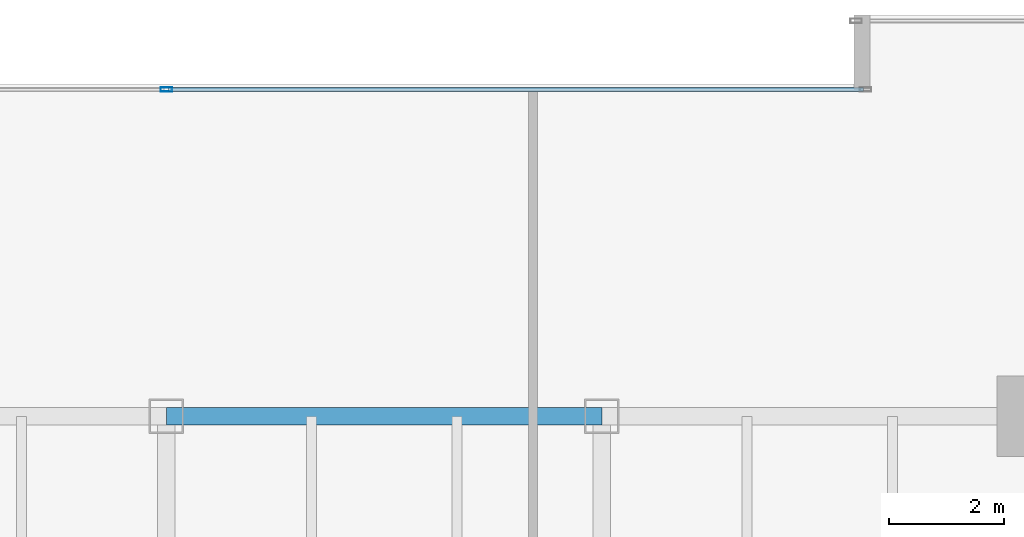
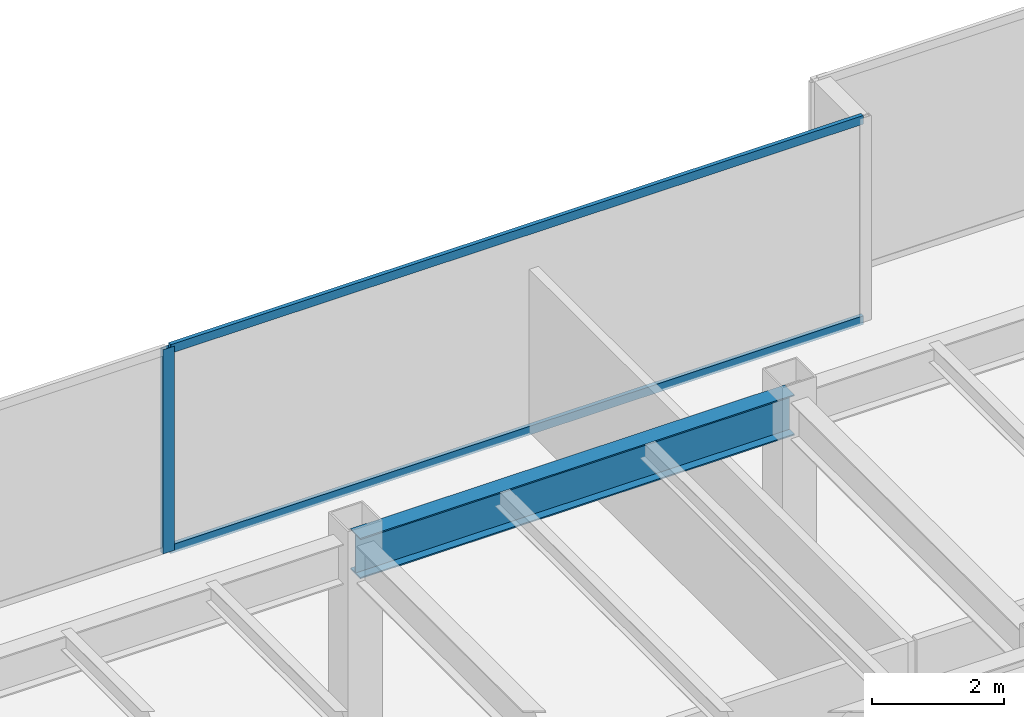
# One storey, part 18 of 35: 3 members, 1 beam, 1 element without a shape of its own.
"""IFC4 building model written with IfcOpenShell, lengths in metres."""

import ifcopenshell
import ifcopenshell.guid

model = None  # the IFC model being written
_history = None  # IfcOwnerHistory: only IFC2X3 demands one
_inside = {}  # id of a spatial element -> (the spatial element, [elements in it])
_under = {}  # id of a project, library or spatial element -> (it, [spatial elements below it])
_declared = {}  # id of a project -> (the project, [libraries it declares])
_typed = {}  # id of a type object -> (the type object, [elements of that type])
_made_of = {}  # id of a material, layer set ... -> (it, [elements and type objects made of it])


def new_model(schema):
    """Start an empty IFC model of exactly this schema.

    Asked for "IFC4X3", IfcOpenShell would pick the latest addendum, in which some entities
    have other attributes; the version numbers below select the first issue.
    IFC2X3 requires an IfcOwnerHistory on every rooted entity: one is made here for all.
    """
    global model, _history
    if schema == "IFC4X3":
        model = ifcopenshell.file(schema_version=(4, 3, 0, 0))
    else:
        model = ifcopenshell.file(schema=schema)
    _inside.clear()
    _under.clear()
    _declared.clear()
    _typed.clear()
    _made_of.clear()
    _history = None
    if model.schema == "IFC2X3":
        org = make("IfcOrganization", Name="unknown")
        user = make(
            "IfcPersonAndOrganization",
            ThePerson=make("IfcPerson", FamilyName="unknown"),
            TheOrganization=org,
        )
        app = make(
            "IfcApplication",
            ApplicationDeveloper=org,
            Version="unknown",
            ApplicationFullName="unknown",
            ApplicationIdentifier="unknown",
        )
        _history = make(
            "IfcOwnerHistory",
            OwningUser=user,
            OwningApplication=app,
            ChangeAction="ADDED",
            CreationDate=0,
        )
    return model


def make(cls, **values):
    """One entity of the class cls with the attributes given. An attribute that is None is left unset."""
    return model.create_entity(
        cls, **{name: value for name, value in values.items() if value is not None}
    )


def rooted(cls, **values):
    """An entity with a GlobalId (a new one), such as an element, a storey or a relation."""
    return make(cls, GlobalId=ifcopenshell.guid.new(), OwnerHistory=_history, **values)


def si_unit(unit_type, name, prefix=None):
    """IfcSIUnit, for example si_unit("LENGTHUNIT", "METRE", prefix="MILLI")."""
    return make("IfcSIUnit", UnitType=unit_type, Prefix=prefix, Name=name)


def assignment(units):
    """IfcUnitAssignment: the units of a project."""
    return None if units is None else make("IfcUnitAssignment", Units=units)


def point(xyz):
    """IfcCartesianPoint."""
    return None if xyz is None else make("IfcCartesianPoint", Coordinates=xyz)


def direction(xyz):
    """IfcDirection."""
    return None if xyz is None else make("IfcDirection", DirectionRatios=xyz)


def frame(location, z_axis=None, x_axis=None):
    """IfcAxis2Placement3D, a coordinate frame: its origin and axes. An axis left out is left unset."""
    return make(
        "IfcAxis2Placement3D",
        Location=point(location),
        Axis=direction(z_axis),
        RefDirection=direction(x_axis),
    )


def frame_2d(location, x_axis=None):
    """IfcAxis2Placement2D, a coordinate frame in the plane: its origin and x axis."""
    return make(
        "IfcAxis2Placement2D", Location=point(location), RefDirection=direction(x_axis)
    )


def origin():
    """The frame at (0, 0, 0) with its axes left unset."""
    return frame((0.0, 0.0, 0.0))


def origin_2d():
    """The frame at (0, 0) in the plane with its x axis left unset."""
    return frame_2d((0.0, 0.0))


def place(relative_to, where):
    """IfcLocalPlacement: puts the frame where relative to a parent placement (None: the world)."""
    return make(
        "IfcLocalPlacement", PlacementRelTo=relative_to, RelativePlacement=where
    )


def context(
    kind, dimensions, precision=None, world=None, true_north=None, identifier=None
):
    """IfcGeometricRepresentationContext, for example the 3D "Model" context."""
    return make(
        "IfcGeometricRepresentationContext",
        ContextIdentifier=identifier,
        ContextType=kind,
        CoordinateSpaceDimension=dimensions,
        Precision=precision,
        WorldCoordinateSystem=world,
        TrueNorth=true_north,
    )


def subcontext(parent, identifier, kind, view, scale=None):
    """IfcGeometricRepresentationSubContext, for example "Body" below "Model"."""
    return make(
        "IfcGeometricRepresentationSubContext",
        ContextIdentifier=identifier,
        ContextType=kind,
        ParentContext=parent,
        TargetScale=scale,
        TargetView=view,
    )


def project(units=None, contexts=None):
    """IfcProject with its units and contexts."""
    return rooted(
        "IfcProject",
        Name="project",
        RepresentationContexts=contexts,
        UnitsInContext=assignment(units),
    )


def spatial(cls, under=None, at=None, **own):
    """A site, building, storey or space (cls), placed at a placement, below another one or the project."""
    s = rooted(cls, ObjectPlacement=at, **own)
    if under is not None:
        _under.setdefault(under.id(), (under, []))[1].append(s)
    return s


def profile(cls, at=None, kind="AREA", **sizes):
    """A parametric profile (cls). Its sizes go by their IFC names, for example OverallWidth=200.0."""
    return make(cls, ProfileType=kind, Position=at, **sizes)


def hollow_rectangle(**sizes):
    """IfcRectangleHollowProfileDef."""
    return profile("IfcRectangleHollowProfileDef", **sizes)


def i_section(**sizes):
    """IfcIShapeProfileDef."""
    return profile("IfcIShapeProfileDef", **sizes)


def extrude(swept, where, along, depth):
    """IfcExtrudedAreaSolid: the profile swept, set in the frame where, extruded along a direction by depth."""
    return make(
        "IfcExtrudedAreaSolid",
        SweptArea=swept,
        Position=where,
        ExtrudedDirection=direction(along),
        Depth=depth,
    )


def shape(context_of_items, identifier, shape_type, items):
    """IfcShapeRepresentation: the items that make up one representation, for example the "Body"."""
    return make(
        "IfcShapeRepresentation",
        ContextOfItems=context_of_items,
        RepresentationIdentifier=identifier,
        RepresentationType=shape_type,
        Items=items,
    )


def source(mapping_origin, context_of_items, identifier, shape_type, items):
    """IfcRepresentationMap: a shape defined once, which mapped items show again and again."""
    return make(
        "IfcRepresentationMap",
        MappingOrigin=mapping_origin,
        MappedRepresentation=shape(context_of_items, identifier, shape_type, items),
    )


def transform(
    local_origin,
    x_axis=None,
    y_axis=None,
    z_axis=None,
    scale=None,
    scale2=None,
    scale3=None,
    uniform=True,
):
    """IfcCartesianTransformationOperator3D, or its non-uniform kind. x_axis, y_axis, z_axis: its Axis1, 2, 3."""
    if uniform:
        return make(
            "IfcCartesianTransformationOperator3D",
            Axis1=direction(x_axis),
            Axis2=direction(y_axis),
            LocalOrigin=point(local_origin),
            Scale=scale,
            Axis3=direction(z_axis),
        )
    return make(
        "IfcCartesianTransformationOperator3DnonUniform",
        Axis1=direction(x_axis),
        Axis2=direction(y_axis),
        LocalOrigin=point(local_origin),
        Scale=scale,
        Axis3=direction(z_axis),
        Scale2=scale2,
        Scale3=scale3,
    )


def mapped(mapping_source, mapping_target):
    """IfcMappedItem: shows the shape of a source again, moved by a transform."""
    return make(
        "IfcMappedItem", MappingSource=mapping_source, MappingTarget=mapping_target
    )


def material(Name=None, Category=None):
    """IfcMaterial."""
    return make("IfcMaterial", Name=Name, Category=Category)


def layer(
    of_material, thickness, ventilated=None, Name=None, Category=None, Priority=None
):
    """IfcMaterialLayer: one layer of a wall or slab, of a material (None: an air gap)."""
    return make(
        "IfcMaterialLayer",
        Material=of_material,
        LayerThickness=thickness,
        IsVentilated=ventilated,
        Name=Name,
        Category=Category,
        Priority=Priority,
    )


def layer_set(layers, Name=None):
    """IfcMaterialLayerSet."""
    return make("IfcMaterialLayerSet", MaterialLayers=layers, LayerSetName=Name)


def material_profile(
    of_material, cross_section, Name=None, Category=None, Priority=None
):
    """IfcMaterialProfile: a cross section and its material."""
    return make(
        "IfcMaterialProfile",
        Name=Name,
        Material=of_material,
        Profile=cross_section,
        Priority=Priority,
        Category=Category,
    )


def profile_set(profiles, Name=None, composite=None):
    """IfcMaterialProfileSet."""
    return make(
        "IfcMaterialProfileSet",
        Name=Name,
        MaterialProfiles=profiles,
        CompositeProfile=composite,
    )


def made_of(thing, what):
    """Note that an element or type object is made of a material, layer set ...; save() writes the relation."""
    if what is not None:
        _made_of.setdefault(what.id(), (what, []))[1].append(thing)
    return thing


def type_object(cls, material=None, **own):
    """A type object (cls), such as IfcWallType, which elements share."""
    return made_of(rooted(cls, **own), material)


def type_shapes(of_type, sources):
    """Give a type object the sources (RepresentationMaps) that its elements show as mapped items."""
    of_type.RepresentationMaps = sources


def element(
    cls,
    number,
    at=None,
    inside=None,
    cuts=None,
    type_object=None,
    material=None,
    context=None,
    identifier="Body",
    shape_type=None,
    held_by="IfcProductDefinitionShape",
    body=None,
    shapes=None,
    **own,
):
    """One element of the class cls, such as IfcWall. Its Tag is "e" and its number.

    at: its placement. inside: the storey or other place that contains it. cuts: it is an
    opening in that element (IfcRelVoidsElement). A single representation is given by context,
    identifier, shape_type and body (its items); several are given by shapes. held_by: the class
    of the entity that holds the representations. save() writes the other relations.
    """
    e = rooted(cls, Tag="e%d" % number, ObjectPlacement=at, **own)
    if body is not None:
        shapes = [shape(context, identifier, shape_type, body)]
    if shapes is not None:
        e.Representation = make(held_by, Representations=shapes)
    if inside is not None:
        _inside.setdefault(inside.id(), (inside, []))[1].append(e)
    if cuts is not None:
        rooted(
            "IfcRelVoidsElement", RelatingBuildingElement=cuts, RelatedOpeningElement=e
        )
    if type_object is not None:
        _typed.setdefault(type_object.id(), (type_object, []))[1].append(e)
    return made_of(e, material)


def aggregate(whole, parts):
    """IfcRelAggregates: a whole, such as a stair, and the parts it consists of."""
    return rooted("IfcRelAggregates", RelatingObject=whole, RelatedObjects=parts)


def save(model, path):
    """Write the relations noted so far, then the file.

    IfcRelAggregates (storeys below a building ...), IfcRelContainedInSpatialStructure (elements
    in a storey), IfcRelDefinesByType, IfcRelAssociatesMaterial and IfcRelDeclares: one each for
    every whole, place, type object, material and project.
    """
    for whole, parts in _under.values():
        aggregate(whole, parts)
    for where, things in _inside.values():
        rooted(
            "IfcRelContainedInSpatialStructure",
            RelatedElements=things,
            RelatingStructure=where,
        )
    for kind, things in _typed.values():
        rooted("IfcRelDefinesByType", RelatedObjects=things, RelatingType=kind)
    for what, things in _made_of.values():
        rooted("IfcRelAssociatesMaterial", RelatedObjects=things, RelatingMaterial=what)
    for by, libraries in _declared.values():
        rooted("IfcRelDeclares", RelatingContext=by, RelatedDefinitions=libraries)
    model.write(path)


model = new_model("IFC4")

# Units and contexts
model_context = context("Model", 3, precision=1e-05, world=origin(), true_north=direction((0.0, 1.0)))
body_context = subcontext(model_context, "Body", "Model", "MODEL_VIEW")
ifc_project = project(units=[si_unit("LENGTHUNIT", "METRE"), si_unit("AREAUNIT", "SQUARE_METRE"), si_unit("VOLUMEUNIT", "CUBIC_METRE"), si_unit("PLANEANGLEUNIT", "RADIAN"), si_unit("MASSUNIT", "GRAM", prefix="KILO")], contexts=[model_context])

# Site, building, storey
site_placement = place(None, origin())
site = spatial("IfcSite", under=ifc_project, at=site_placement, CompositionType="ELEMENT")
building_placement = place(site_placement, origin())
building = spatial("IfcBuilding", under=site, at=building_placement, Name="Haelvirn Gate Laboratories", CompositionType="ELEMENT")
storey_placement = place(building_placement, frame((0.0, 0.0, 45.699951171875)))
storey = spatial("IfcBuildingStorey", under=building, at=storey_placement, Name="L11", CompositionType="ELEMENT", Elevation=45.699951171875)

# Beam
ifc_material_1 = material(Name="Steel SM355", Category="steel")
ifc_material_profile_1 = material_profile(ifc_material_1, i_section(OverallWidth=0.300048828125, OverallDepth=0.75, WebThickness=0.013916015625, FlangeThickness=0.02392578125, at=origin_2d()), Name="H-750x300x14x24")
ifc_profile_set_1 = profile_set([ifc_material_profile_1], Name="Steel SM355")
beam_type = type_object("IfcBeamType", Name="BM-G-750", PredefinedType="BEAM", material=ifc_profile_set_1)
shared_shape_1 = source(origin(), body_context, "Body", "SweptSolid", [
    extrude(i_section(OverallWidth=0.300048828125, OverallDepth=0.75, WebThickness=0.013916015625, FlangeThickness=0.02392578125, at=origin_2d()), origin(), (0.0, 0.0, 1.0), 7.60009765625),
])
type_shapes(beam_type, [shared_shape_1])
beam_placement = place(storey_placement, frame((37.39990234375, 41.60009765625, 3.405029296875), z_axis=(1.0, 0.0, 0.0), x_axis=(0.0, 1.0, 0.0)))
element("IfcBeam", 1, at=beam_placement, inside=storey, type_object=beam_type, Name="L11 Primary Girder Y41.6 (37.4-45.0)", PredefinedType="BEAM", context=body_context, shape_type="MappedRepresentation", body=[
    mapped(shared_shape_1, transform((0.0, 0.0, 0.0), scale=1.0)),
])

# Curtain wall, members
ifc_material_2 = material(Name="Anodised bronze unitised aluminium & triple low-E glass", Category="aluminium")
ifc_layer = layer(ifc_material_2, 0.18408203125, Name="CW-SYS-2")
ifc_layer_set = layer_set([ifc_layer], Name="Anodised bronze unitised aluminium & triple low-E glass")
curtain_wall_type = type_object("IfcCurtainWallType", Name="CW-SYS-2", PredefinedType="NOTDEFINED", material=ifc_layer_set)
curtain_wall_placement = place(storey_placement, origin())
curtain_wall = element("IfcCurtainWall", 2, at=curtain_wall_placement, inside=storey, type_object=curtain_wall_type, Name="L11 Unitised Curtain Wall CW-L11-P0-E12-1", PredefinedType="NOTDEFINED")
ifc_material_3 = material(Name="Extruded aluminium 6063-T6 (anodised bronze)", Category="aluminium")
ifc_material_profile_2 = material_profile(ifc_material_3, hollow_rectangle(XDim=0.074951171875, YDim=0.199951171875, WallThickness=0.0048828125, at=origin_2d()), Name="CWM-200x75x5")
ifc_profile_set_2 = profile_set([ifc_material_profile_2], Name="Extruded aluminium 6063-T6 (anodised bronze)")
member_type_1 = type_object("IfcMemberType", Name="CWM-T200", PredefinedType="MULLION", material=ifc_profile_set_2)
shared_shape_2 = source(origin(), body_context, "Body", "SweptSolid", [
    extrude(hollow_rectangle(XDim=0.074951171875, YDim=0.199951171875, WallThickness=0.0048828125, at=origin_2d()), origin(), (0.0, 0.0, 1.0), 3.780029296875),
])
type_shapes(member_type_1, [shared_shape_2])
member_1_placement = place(storey_placement, frame((37.39990234375, 47.300048828125, 0.0), z_axis=(0.0, 0.0, 1.0), x_axis=(0.0, 1.0, 0.0)))
member_1 = element("IfcMember", 3, at=member_1_placement, type_object=member_type_1, Name="CW2 mullion 2", PredefinedType="MULLION", context=body_context, shape_type="MappedRepresentation", body=[
    mapped(shared_shape_2, transform((0.0, 0.0, 0.0), scale=1.0)),
])
ifc_material_profile_3 = material_profile(ifc_material_3, hollow_rectangle(XDim=0.070068359375, YDim=0.159912109375, WallThickness=0.0048828125, at=origin_2d()), Name="CWT-160x70x5")
ifc_profile_set_3 = profile_set([ifc_material_profile_3], Name="Extruded aluminium 6063-T6 (anodised bronze)")
member_type_2 = type_object("IfcMemberType", Name="CWT-T160", PredefinedType="USERDEFINED", material=ifc_profile_set_3)
shared_shape_3 = source(origin(), body_context, "Body", "SweptSolid", [
    extrude(hollow_rectangle(XDim=0.070068359375, YDim=0.159912109375, WallThickness=0.0048828125, at=origin_2d()), origin(), (0.0, 0.0, 1.0), 12.12744140625),
])
type_shapes(member_type_2, [shared_shape_3])
member_2_placement = place(storey_placement, frame((37.4375, 47.300048828125, 0.03515625), z_axis=(1.0, 0.0, 0.0), x_axis=(0.0, 1.0, 0.0)))
member_2 = element("IfcMember", 4, at=member_2_placement, type_object=member_type_2, Name="CW2 transom 2.1", ObjectType="TRANSOM", PredefinedType="USERDEFINED", context=body_context, shape_type="MappedRepresentation", body=[
    mapped(shared_shape_3, transform((0.0, 0.0, 0.0), scale=1.0)),
])
member_3_placement = place(storey_placement, frame((37.4375, 47.300048828125, 3.7451171875), z_axis=(1.0, 0.0, 0.0), x_axis=(0.0, 1.0, 0.0)))
member_3 = element("IfcMember", 5, at=member_3_placement, type_object=member_type_2, Name="CW2 transom 2.2", ObjectType="TRANSOM", PredefinedType="USERDEFINED", context=body_context, shape_type="MappedRepresentation", body=[
    mapped(shared_shape_3, transform((0.0, 0.0, 0.0), scale=1.0)),
])
aggregate(curtain_wall, [member_1, member_2, member_3])

save(model, "model.ifc")
